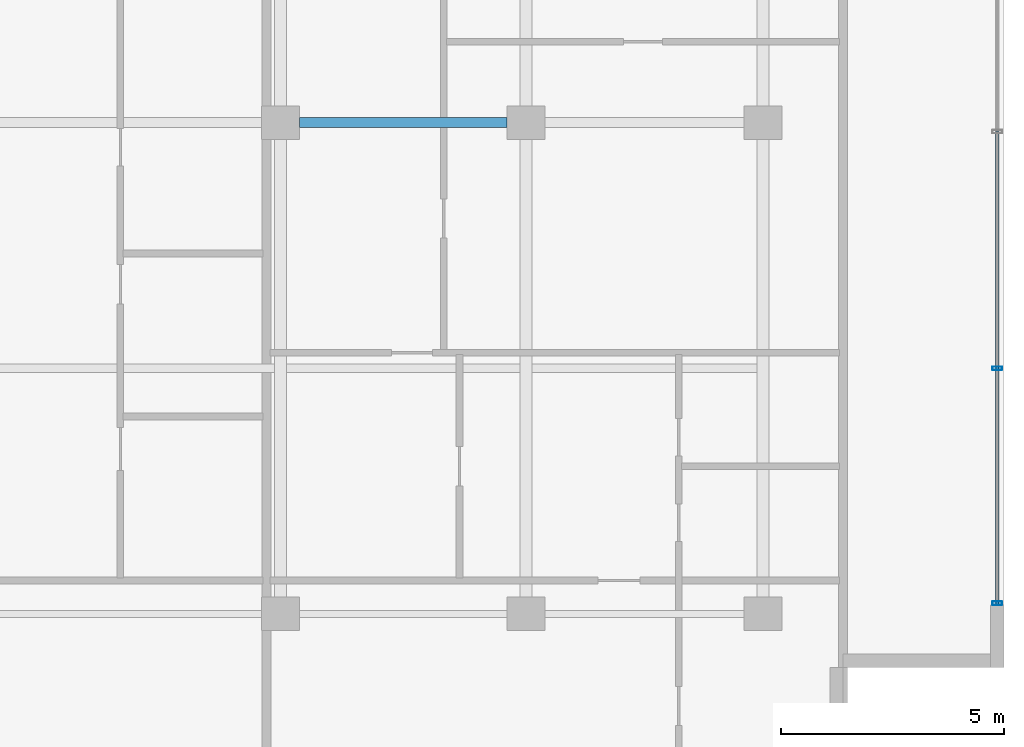
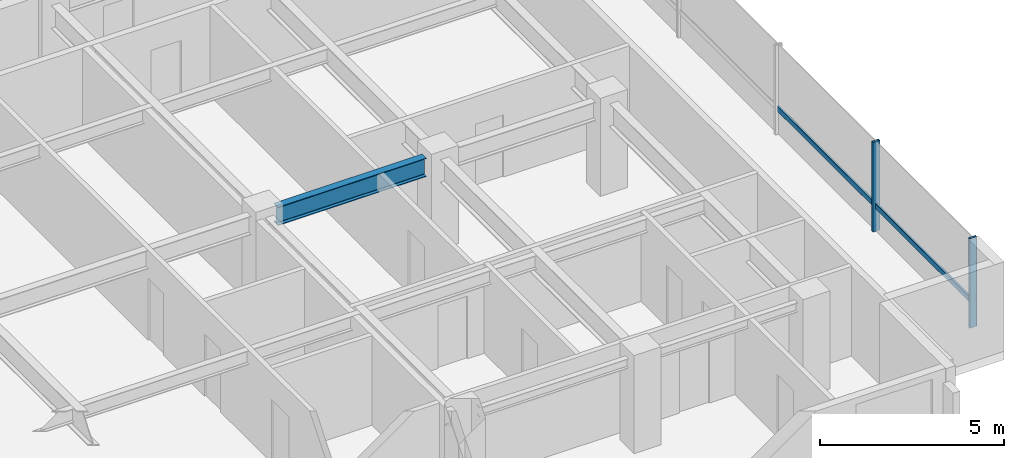
# One storey, part 7 of 38: 4 members, 1 beam, 1 element without a shape of its own.
"""IFC4 building model written with IfcOpenShell, lengths in metres."""

from ifc_helpers import new_model, si_unit, direction, frame, origin, origin_2d, place, context, subcontext, project, spatial, hollow_rectangle, i_section, extrude, material, layer, layer_set, material_profile, profile_set, type_object, element, aggregate, save


model = new_model("IFC4")

# Units and contexts
model_context = context("Model", 3, precision=1e-05, world=origin(), true_north=direction((0.0, 1.0)))
body_context = subcontext(model_context, "Body", "Model", "MODEL_VIEW")
ifc_project = project(units=[si_unit("LENGTHUNIT", "METRE"), si_unit("AREAUNIT", "SQUARE_METRE"), si_unit("VOLUMEUNIT", "CUBIC_METRE"), si_unit("PLANEANGLEUNIT", "RADIAN"), si_unit("MASSUNIT", "GRAM", prefix="KILO")], contexts=[model_context])

# Site, building, storey
site_placement = place(None, origin())
site = spatial("IfcSite", under=ifc_project, at=site_placement, CompositionType="ELEMENT")
building_placement = place(site_placement, origin())
building = spatial("IfcBuilding", under=site, at=building_placement, Name="Korimba Cascade Residences", CompositionType="ELEMENT")
storey_placement = place(building_placement, frame((0.0, 0.0, 93.800048828125)))
storey = spatial("IfcBuildingStorey", under=building, at=storey_placement, Name="L26", CompositionType="ELEMENT", Elevation=93.800048828125)

# Beam
ifc_material_1 = material(Name="Steel S355", Category="steel")
ifc_material_profile_1 = material_profile(ifc_material_1, i_section(OverallWidth=0.22900390625, OverallDepth=0.6123046875, WebThickness=0.011962890625, FlangeThickness=0.01953125, FilletRadius=0.0126953125, at=origin_2d()), Name="Steel S355")
ifc_profile_set_1 = profile_set([ifc_material_profile_1], Name="Steel S355")
beam_type = type_object("IfcBeamType", Name="BM-STL-UB610B", PredefinedType="BEAM", material=ifc_profile_set_1)
beam_placement = place(storey_placement, frame((118.52490234375, 6.800048828125, 2.663818359375), z_axis=(1.0, 0.0, 0.0), x_axis=(0.0, 1.0, 0.0)))
element("IfcBeam", 1, at=beam_placement, inside=storey, type_object=beam_type, Name="L26 T2 E-W Girder Y2 Bay 6", PredefinedType="BEAM", context=body_context, shape_type="SweptSolid", body=[
    extrude(i_section(OverallWidth=0.22900390625, OverallDepth=0.6123046875, WebThickness=0.011962890625, FlangeThickness=0.01953125, FilletRadius=0.0126953125, at=origin_2d()), origin(), (0.0, 0.0, 1.0), 4.650146484375),
])

# Curtain wall, members
ifc_material_2 = material(Name="Anodised Aluminium Curtain Wall Framing", Category="aluminium")
ifc_layer = layer(ifc_material_2, 0.179931640625)
ifc_layer_set = layer_set([ifc_layer], Name="Anodised Aluminium Curtain Wall Framing")
curtain_wall_type = type_object("IfcCurtainWallType", Name="CW-SKY-SYS2", PredefinedType="NOTDEFINED", material=ifc_layer_set)
curtain_wall_placement = place(storey_placement, origin())
curtain_wall = element("IfcCurtainWall", 2, at=curtain_wall_placement, inside=storey, type_object=curtain_wall_type, Name="L26 Curtain Wall CW-L26-T2-E3", PredefinedType="NOTDEFINED")
ifc_material_3 = material(Name="Anodised Aluminium Mullion", Category="aluminium")
ifc_material_profile_2 = material_profile(ifc_material_3, hollow_rectangle(XDim=0.080078125, YDim=0.219970703125, WallThickness=0.00634765625, InnerFilletRadius=0.00634765625, OuterFilletRadius=0.0126953125, at=origin_2d()), Name="Anodised Aluminium Mullion")
ifc_profile_set_2 = profile_set([ifc_material_profile_2], Name="Anodised Aluminium Mullion")
member_type_1 = type_object("IfcMemberType", Name="CWM-MUL-220", PredefinedType="MULLION", material=ifc_profile_set_2)
member_1_placement = place(storey_placement, frame((134.14990234375, -3.9599609375, 0.0), z_axis=(0.0, 0.0, 1.0), x_axis=(0.0, 1.0, 0.0)))
member_1 = element("IfcMember", 3, at=member_1_placement, type_object=member_type_1, Name="CW-L26-T2-E3 Mullion 1", PredefinedType="MULLION", context=body_context, shape_type="SweptSolid", body=[
    extrude(hollow_rectangle(XDim=0.080078125, YDim=0.219970703125, WallThickness=0.00634765625, InnerFilletRadius=0.00634765625, OuterFilletRadius=0.0126953125, at=origin_2d()), origin(), (0.0, 0.0, 1.0), 2.969970703125),
])
member_2_placement = place(storey_placement, frame((134.14990234375, 1.300048828125, 0.0), z_axis=(0.0, 0.0, 1.0), x_axis=(0.0, 1.0, 0.0)))
member_2 = element("IfcMember", 4, at=member_2_placement, type_object=member_type_1, Name="CW-L26-T2-E3 Mullion 2", PredefinedType="MULLION", context=body_context, shape_type="SweptSolid", body=[
    extrude(hollow_rectangle(XDim=0.080078125, YDim=0.219970703125, WallThickness=0.00634765625, InnerFilletRadius=0.00634765625, OuterFilletRadius=0.0126953125, at=origin_2d()), origin(), (0.0, 0.0, 1.0), 2.969970703125),
])
ifc_material_4 = material(Name="Anodised Aluminium Transom", Category="aluminium")
ifc_material_profile_3 = material_profile(ifc_material_4, hollow_rectangle(XDim=0.070068359375, YDim=0.179931640625, WallThickness=0.0048828125, InnerFilletRadius=0.0048828125, OuterFilletRadius=0.010009765625, at=origin_2d()), Name="Anodised Aluminium Transom")
ifc_profile_set_3 = profile_set([ifc_material_profile_3], Name="Anodised Aluminium Transom")
member_type_2 = type_object("IfcMemberType", Name="CWM-TRN-150", PredefinedType="USERDEFINED", material=ifc_profile_set_3)
member_3_placement = place(storey_placement, frame((134.14990234375, -3.9599609375, 0.83154296875), z_axis=(0.0, 1.0, 0.0), x_axis=(-1.0, 0.0, 0.0)))
member_3 = element("IfcMember", 5, at=member_3_placement, type_object=member_type_2, Name="CW-L26-T2-E3 Transom 1", ObjectType="TRANSOM", PredefinedType="USERDEFINED", context=body_context, shape_type="SweptSolid", body=[
    extrude(hollow_rectangle(XDim=0.070068359375, YDim=0.179931640625, WallThickness=0.0048828125, InnerFilletRadius=0.0048828125, OuterFilletRadius=0.010009765625, at=origin_2d()), origin(), (0.0, 0.0, 1.0), 5.260009765625),
])
member_4_placement = place(storey_placement, frame((134.14990234375, 1.300048828125, 0.83154296875), z_axis=(0.0, 1.0, 0.0), x_axis=(-1.0, 0.0, 0.0)))
member_4 = element("IfcMember", 6, at=member_4_placement, type_object=member_type_2, Name="CW-L26-T2-E3 Transom 2", ObjectType="TRANSOM", PredefinedType="USERDEFINED", context=body_context, shape_type="SweptSolid", body=[
    extrude(hollow_rectangle(XDim=0.070068359375, YDim=0.179931640625, WallThickness=0.0048828125, InnerFilletRadius=0.0048828125, OuterFilletRadius=0.010009765625, at=origin_2d()), origin(), (0.0, 0.0, 1.0), 5.300048828125),
])
aggregate(curtain_wall, [member_1, member_2, member_3, member_4])

save(model, "model.ifc")
